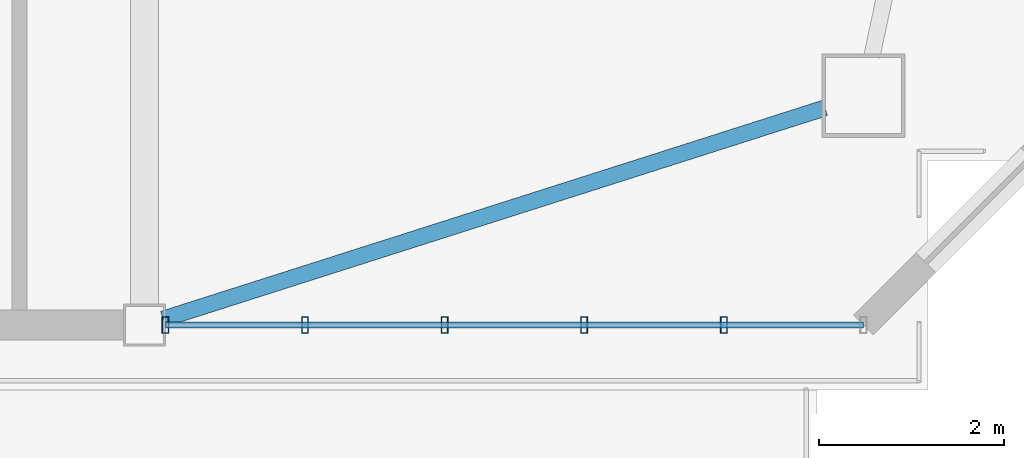
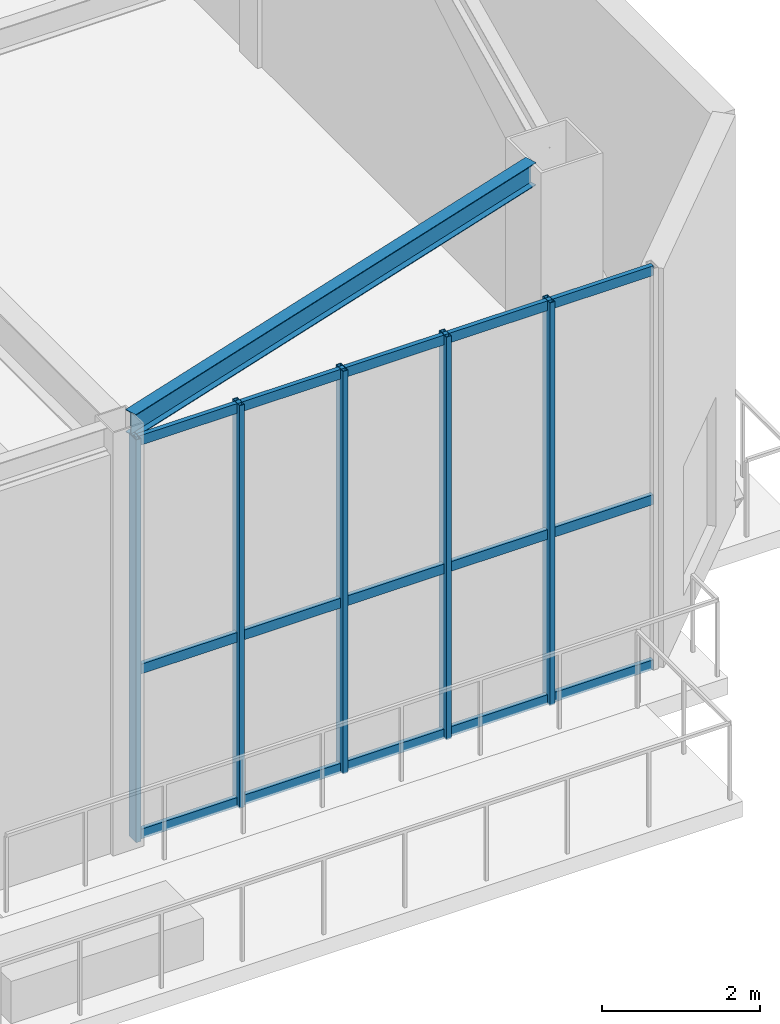
# One storey, part 4 of 15: 8 members, 1 beam, 1 element without a shape of its own.
"""IFC4 building model written with IfcOpenShell, lengths in metres."""

from ifc_helpers import new_model, si_unit, direction, frame, origin, origin_2d, place, context, subcontext, project, spatial, hollow_rectangle, i_section, extrude, source, transform, mapped, material, layer, layer_set, material_profile, profile_set, type_object, element, aggregate, save


model = new_model("IFC4")

# Units and contexts
model_context = context("Model", 3, precision=1e-05, world=origin(), true_north=direction((0.0, 1.0)))
body_context = subcontext(model_context, "Body", "Model", "MODEL_VIEW")
ifc_project = project(units=[si_unit("LENGTHUNIT", "METRE"), si_unit("AREAUNIT", "SQUARE_METRE"), si_unit("VOLUMEUNIT", "CUBIC_METRE"), si_unit("PLANEANGLEUNIT", "RADIAN"), si_unit("MASSUNIT", "GRAM", prefix="KILO")], contexts=[model_context])

# Site, building, storey
site_placement = place(None, origin())
site = spatial("IfcSite", under=ifc_project, at=site_placement, CompositionType="ELEMENT")
building_placement = place(site_placement, origin())
building = spatial("IfcBuilding", under=site, at=building_placement, Name="Giltprow Tower", CompositionType="ELEMENT")
storey_placement = place(building_placement, frame((0.0, 0.0, 279.10009765625)))
storey = spatial("IfcBuildingStorey", under=building, at=storey_placement, Name="L72", CompositionType="ELEMENT", Elevation=279.10009765625)

# Beam
ifc_material_1 = material(Name="Structural steel Q355B", Category="steel")
ifc_material_profile_1 = material_profile(ifc_material_1, i_section(OverallWidth=0.175048828125, OverallDepth=0.35009765625, WebThickness=0.007080078125, FlangeThickness=0.010986328125, at=origin_2d()), Name="HN 350x175x7x11")
ifc_profile_set_1 = profile_set([ifc_material_profile_1], Name="Structural steel Q355B")
beam_type = type_object("IfcBeamType", Name="BM-SPAN-HN350", PredefinedType="SPANDREL", material=ifc_profile_set_1)
shared_shape_1 = source(origin(), body_context, "Body", "SweptSolid", [
    extrude(i_section(OverallWidth=0.175048828125, OverallDepth=0.35009765625, WebThickness=0.007080078125, FlangeThickness=0.010986328125, at=origin_2d()), origin(), (0.0, 0.0, 1.0), 7.5048828125),
])
beam_placement = place(storey_placement, frame((50.75, 17.971923828125, 6.344970703125), z_axis=(0.952693085845, 0.303934012875, 0.0), x_axis=(-0.303934012875, 0.952693085845, 0.0)))
element("IfcBeam", 1, at=beam_placement, inside=storey, type_object=beam_type, Name="L72 Perimeter Spandrel Beam S4-MC_SE", PredefinedType="SPANDREL", context=body_context, shape_type="MappedRepresentation", body=[
    mapped(shared_shape_1, transform((0.0, 0.0, 0.0), x_axis=(1.0, 0.0, 0.0), y_axis=(0.0, 1.0, 0.0), z_axis=(0.0, 0.0, 1.0), scale=1.0)),
])

# Curtain wall, members
ifc_material_2 = material(Name="Anodized bronze", Category="metal")
ifc_layer = layer(ifc_material_2, 0.179931640625, Name="Anodized bronze")
ifc_layer_set = layer_set([ifc_layer], Name="Anodized bronze")
curtain_wall_type = type_object("IfcCurtainWallType", Name="CW-SKYGARDEN", PredefinedType="NOTDEFINED", material=ifc_layer_set)
curtain_wall_placement = place(storey_placement, origin())
curtain_wall = element("IfcCurtainWall", 2, at=curtain_wall_placement, inside=storey, type_object=curtain_wall_type, Name="L72 South Recessed Curtain Wall 6", PredefinedType="NOTDEFINED")
ifc_material_profile_2 = material_profile(ifc_material_2, hollow_rectangle(XDim=0.074951171875, YDim=0.179931640625, WallThickness=0.008056640625, at=origin_2d()), Name="RHS 180x75x8")
ifc_profile_set_2 = profile_set([ifc_material_profile_2], Name="Anodized bronze")
member_type_1 = type_object("IfcMemberType", Name="CW-MULLION-180x75", PredefinedType="MULLION", material=ifc_profile_set_2)
shared_shape_2 = source(origin(), body_context, "Body", "SweptSolid", [
    extrude(hollow_rectangle(XDim=0.074951171875, YDim=0.179931640625, WallThickness=0.008056640625, at=origin_2d()), origin(), (0.0, 0.0, 1.0), 6.204833984375),
])
member_1_placement = place(storey_placement, frame((50.77490234375, 17.907958984375, -0.02001953125), z_axis=(0.0, 0.0, 1.0), x_axis=(1.0, 0.0, 0.0)))
member_1 = element("IfcMember", 3, at=member_1_placement, type_object=member_type_1, Name="L72 South Recessed Curtain Wall 6 Mullion 1", PredefinedType="MULLION", context=body_context, shape_type="MappedRepresentation", body=[
    mapped(shared_shape_2, transform((0.0, 0.0, 0.0), x_axis=(1.0, 0.0, 0.0), y_axis=(0.0, 1.0, 0.0), z_axis=(0.0, 0.0, 1.0), scale=1.0)),
])
member_2_placement = place(storey_placement, frame((52.282958984375, 17.907958984375, -0.02001953125), z_axis=(0.0, 0.0, 1.0), x_axis=(1.0, 0.0, 0.0)))
member_2 = element("IfcMember", 4, at=member_2_placement, type_object=member_type_1, Name="L72 South Recessed Curtain Wall 6 Mullion 2", PredefinedType="MULLION", context=body_context, shape_type="MappedRepresentation", body=[
    mapped(shared_shape_2, transform((0.0, 0.0, 0.0), x_axis=(1.0, 0.0, 0.0), y_axis=(0.0, 1.0, 0.0), z_axis=(0.0, 0.0, 1.0), scale=1.0)),
])
member_3_placement = place(storey_placement, frame((53.791015625, 17.907958984375, -0.02001953125), z_axis=(0.0, 0.0, 1.0), x_axis=(1.0, 0.0, 0.0)))
member_3 = element("IfcMember", 5, at=member_3_placement, type_object=member_type_1, Name="L72 South Recessed Curtain Wall 6 Mullion 3", PredefinedType="MULLION", context=body_context, shape_type="MappedRepresentation", body=[
    mapped(shared_shape_2, transform((0.0, 0.0, 0.0), x_axis=(1.0, 0.0, 0.0), y_axis=(0.0, 1.0, 0.0), z_axis=(0.0, 0.0, 1.0), scale=1.0)),
])
member_4_placement = place(storey_placement, frame((55.298095703125, 17.907958984375, -0.02001953125), z_axis=(0.0, 0.0, 1.0), x_axis=(1.0, 0.0, 0.0)))
member_4 = element("IfcMember", 6, at=member_4_placement, type_object=member_type_1, Name="L72 South Recessed Curtain Wall 6 Mullion 4", PredefinedType="MULLION", context=body_context, shape_type="MappedRepresentation", body=[
    mapped(shared_shape_2, transform((0.0, 0.0, 0.0), x_axis=(1.0, 0.0, 0.0), y_axis=(0.0, 1.0, 0.0), z_axis=(0.0, 0.0, 1.0), scale=1.0)),
])
member_5_placement = place(storey_placement, frame((56.805908203125, 17.907958984375, -0.02001953125), z_axis=(0.0, 0.0, 1.0), x_axis=(1.0, 0.0, 0.0)))
member_5 = element("IfcMember", 7, at=member_5_placement, type_object=member_type_1, Name="L72 South Recessed Curtain Wall 6 Mullion 5", PredefinedType="MULLION", context=body_context, shape_type="MappedRepresentation", body=[
    mapped(shared_shape_2, transform((0.0, 0.0, 0.0), x_axis=(1.0, 0.0, 0.0), y_axis=(0.0, 1.0, 0.0), z_axis=(0.0, 0.0, 1.0), scale=1.0)),
])
ifc_material_profile_3 = material_profile(ifc_material_2, hollow_rectangle(XDim=0.06494140625, YDim=0.14990234375, WallThickness=0.006103515625, at=origin_2d()), Name="RHS 150x65x6")
ifc_profile_set_3 = profile_set([ifc_material_profile_3], Name="Anodized bronze")
member_type_2 = type_object("IfcMemberType", Name="CW-TRANSOM-150x65", PredefinedType="USERDEFINED", material=ifc_profile_set_3)
shared_shape_3 = source(origin(), body_context, "Body", "SweptSolid", [
    extrude(hollow_rectangle(XDim=0.06494140625, YDim=0.14990234375, WallThickness=0.006103515625, at=origin_2d()), origin(), (0.0, 0.0, 1.0), 7.5390625),
])
member_6_placement = place(storey_placement, frame((50.77490234375, 17.907958984375, 0.039794921875), z_axis=(1.0, 0.0, 0.0), x_axis=(0.0, 1.0, 0.0)))
member_6 = element("IfcMember", 8, at=member_6_placement, type_object=member_type_2, Name="L72 South Recessed Curtain Wall 6 Transom 1", ObjectType="TRANSOM", PredefinedType="USERDEFINED", context=body_context, shape_type="MappedRepresentation", body=[
    mapped(shared_shape_3, transform((0.0, 0.0, 0.0), x_axis=(1.0, 0.0, 0.0), y_axis=(0.0, 1.0, 0.0), z_axis=(0.0, 0.0, 1.0), scale=1.0)),
])
member_7_placement = place(storey_placement, frame((50.77490234375, 17.907958984375, 2.5830078125), z_axis=(1.0, 0.0, 0.0), x_axis=(0.0, 1.0, 0.0)))
member_7 = element("IfcMember", 9, at=member_7_placement, type_object=member_type_2, Name="L72 South Recessed Curtain Wall 6 Transom 2", ObjectType="TRANSOM", PredefinedType="USERDEFINED", context=body_context, shape_type="MappedRepresentation", body=[
    mapped(shared_shape_3, transform((0.0, 0.0, 0.0), x_axis=(1.0, 0.0, 0.0), y_axis=(0.0, 1.0, 0.0), z_axis=(0.0, 0.0, 1.0), scale=1.0)),
])
member_8_placement = place(storey_placement, frame((50.77490234375, 17.907958984375, 6.10986328125), z_axis=(1.0, 0.0, 0.0), x_axis=(0.0, 1.0, 0.0)))
member_8 = element("IfcMember", 10, at=member_8_placement, type_object=member_type_2, Name="L72 South Recessed Curtain Wall 6 Transom 3", ObjectType="TRANSOM", PredefinedType="USERDEFINED", context=body_context, shape_type="MappedRepresentation", body=[
    mapped(shared_shape_3, transform((0.0, 0.0, 0.0), x_axis=(1.0, 0.0, 0.0), y_axis=(0.0, 1.0, 0.0), z_axis=(0.0, 0.0, 1.0), scale=1.0)),
])
aggregate(curtain_wall, [member_1, member_2, member_3, member_4, member_5, member_6, member_7, member_8])

save(model, "model.ifc")
